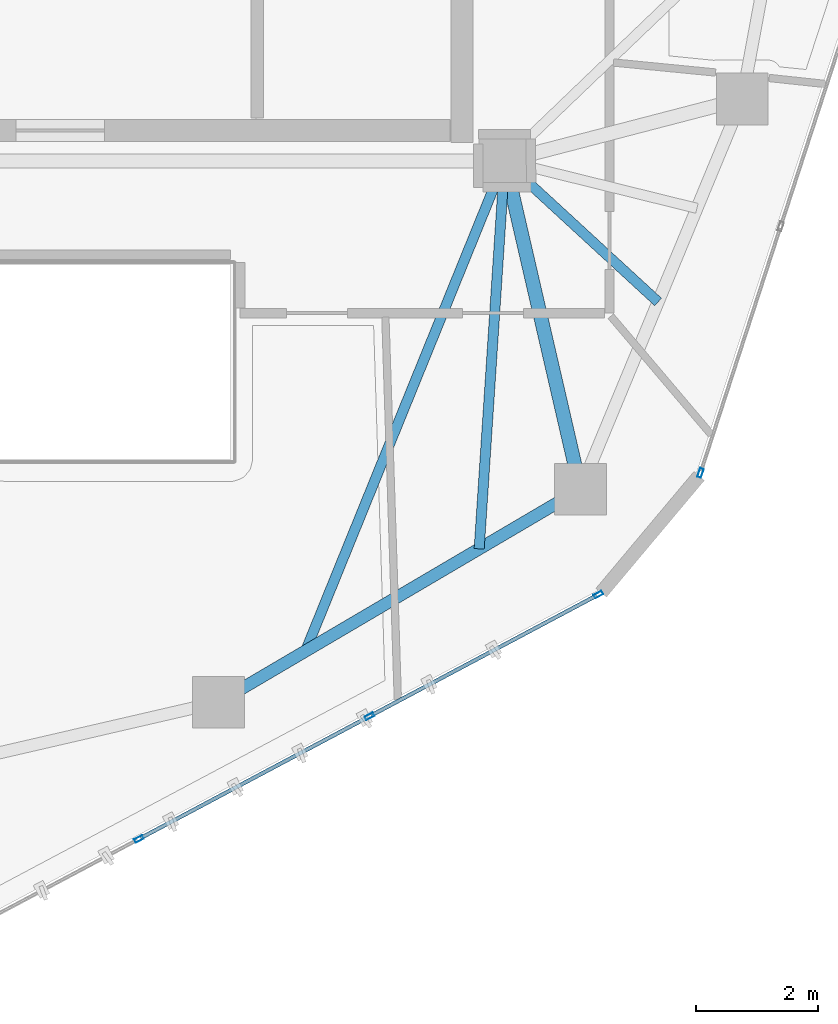
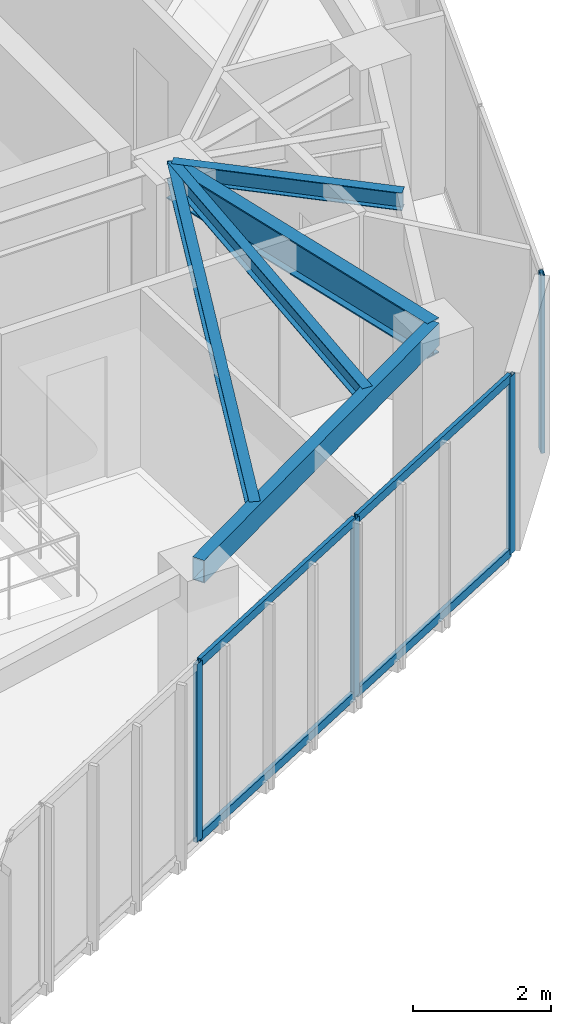
# One storey, part 6 of 20: 8 members, 5 beams, 2 elements without a shape of their own.
"""IFC4 building model written with IfcOpenShell, lengths in metres."""

import ifcopenshell
import ifcopenshell.guid

model = None  # the IFC model being written
_history = None  # IfcOwnerHistory: only IFC2X3 demands one
_inside = {}  # id of a spatial element -> (the spatial element, [elements in it])
_under = {}  # id of a project, library or spatial element -> (it, [spatial elements below it])
_declared = {}  # id of a project -> (the project, [libraries it declares])
_typed = {}  # id of a type object -> (the type object, [elements of that type])
_made_of = {}  # id of a material, layer set ... -> (it, [elements and type objects made of it])


def new_model(schema):
    """Start an empty IFC model of exactly this schema.

    Asked for "IFC4X3", IfcOpenShell would pick the latest addendum, in which some entities
    have other attributes; the version numbers below select the first issue.
    IFC2X3 requires an IfcOwnerHistory on every rooted entity: one is made here for all.
    """
    global model, _history
    if schema == "IFC4X3":
        model = ifcopenshell.file(schema_version=(4, 3, 0, 0))
    else:
        model = ifcopenshell.file(schema=schema)
    _inside.clear()
    _under.clear()
    _declared.clear()
    _typed.clear()
    _made_of.clear()
    _history = None
    if model.schema == "IFC2X3":
        org = make("IfcOrganization", Name="unknown")
        user = make(
            "IfcPersonAndOrganization",
            ThePerson=make("IfcPerson", FamilyName="unknown"),
            TheOrganization=org,
        )
        app = make(
            "IfcApplication",
            ApplicationDeveloper=org,
            Version="unknown",
            ApplicationFullName="unknown",
            ApplicationIdentifier="unknown",
        )
        _history = make(
            "IfcOwnerHistory",
            OwningUser=user,
            OwningApplication=app,
            ChangeAction="ADDED",
            CreationDate=0,
        )
    return model


def make(cls, **values):
    """One entity of the class cls with the attributes given. An attribute that is None is left unset."""
    return model.create_entity(
        cls, **{name: value for name, value in values.items() if value is not None}
    )


def rooted(cls, **values):
    """An entity with a GlobalId (a new one), such as an element, a storey or a relation."""
    return make(cls, GlobalId=ifcopenshell.guid.new(), OwnerHistory=_history, **values)


def si_unit(unit_type, name, prefix=None):
    """IfcSIUnit, for example si_unit("LENGTHUNIT", "METRE", prefix="MILLI")."""
    return make("IfcSIUnit", UnitType=unit_type, Prefix=prefix, Name=name)


def assignment(units):
    """IfcUnitAssignment: the units of a project."""
    return None if units is None else make("IfcUnitAssignment", Units=units)


def point(xyz):
    """IfcCartesianPoint."""
    return None if xyz is None else make("IfcCartesianPoint", Coordinates=xyz)


def direction(xyz):
    """IfcDirection."""
    return None if xyz is None else make("IfcDirection", DirectionRatios=xyz)


def frame(location, z_axis=None, x_axis=None):
    """IfcAxis2Placement3D, a coordinate frame: its origin and axes. An axis left out is left unset."""
    return make(
        "IfcAxis2Placement3D",
        Location=point(location),
        Axis=direction(z_axis),
        RefDirection=direction(x_axis),
    )


def frame_2d(location, x_axis=None):
    """IfcAxis2Placement2D, a coordinate frame in the plane: its origin and x axis."""
    return make(
        "IfcAxis2Placement2D", Location=point(location), RefDirection=direction(x_axis)
    )


def origin():
    """The frame at (0, 0, 0) with its axes left unset."""
    return frame((0.0, 0.0, 0.0))


def origin_2d():
    """The frame at (0, 0) in the plane with its x axis left unset."""
    return frame_2d((0.0, 0.0))


def place(relative_to, where):
    """IfcLocalPlacement: puts the frame where relative to a parent placement (None: the world)."""
    return make(
        "IfcLocalPlacement", PlacementRelTo=relative_to, RelativePlacement=where
    )


def context(
    kind, dimensions, precision=None, world=None, true_north=None, identifier=None
):
    """IfcGeometricRepresentationContext, for example the 3D "Model" context."""
    return make(
        "IfcGeometricRepresentationContext",
        ContextIdentifier=identifier,
        ContextType=kind,
        CoordinateSpaceDimension=dimensions,
        Precision=precision,
        WorldCoordinateSystem=world,
        TrueNorth=true_north,
    )


def subcontext(parent, identifier, kind, view, scale=None):
    """IfcGeometricRepresentationSubContext, for example "Body" below "Model"."""
    return make(
        "IfcGeometricRepresentationSubContext",
        ContextIdentifier=identifier,
        ContextType=kind,
        ParentContext=parent,
        TargetScale=scale,
        TargetView=view,
    )


def project(units=None, contexts=None):
    """IfcProject with its units and contexts."""
    return rooted(
        "IfcProject",
        Name="project",
        RepresentationContexts=contexts,
        UnitsInContext=assignment(units),
    )


def spatial(cls, under=None, at=None, **own):
    """A site, building, storey or space (cls), placed at a placement, below another one or the project."""
    s = rooted(cls, ObjectPlacement=at, **own)
    if under is not None:
        _under.setdefault(under.id(), (under, []))[1].append(s)
    return s


def profile(cls, at=None, kind="AREA", **sizes):
    """A parametric profile (cls). Its sizes go by their IFC names, for example OverallWidth=200.0."""
    return make(cls, ProfileType=kind, Position=at, **sizes)


def hollow_rectangle(**sizes):
    """IfcRectangleHollowProfileDef."""
    return profile("IfcRectangleHollowProfileDef", **sizes)


def i_section(**sizes):
    """IfcIShapeProfileDef."""
    return profile("IfcIShapeProfileDef", **sizes)


def extrude(swept, where, along, depth):
    """IfcExtrudedAreaSolid: the profile swept, set in the frame where, extruded along a direction by depth."""
    return make(
        "IfcExtrudedAreaSolid",
        SweptArea=swept,
        Position=where,
        ExtrudedDirection=direction(along),
        Depth=depth,
    )


def shape(context_of_items, identifier, shape_type, items):
    """IfcShapeRepresentation: the items that make up one representation, for example the "Body"."""
    return make(
        "IfcShapeRepresentation",
        ContextOfItems=context_of_items,
        RepresentationIdentifier=identifier,
        RepresentationType=shape_type,
        Items=items,
    )


def source(mapping_origin, context_of_items, identifier, shape_type, items):
    """IfcRepresentationMap: a shape defined once, which mapped items show again and again."""
    return make(
        "IfcRepresentationMap",
        MappingOrigin=mapping_origin,
        MappedRepresentation=shape(context_of_items, identifier, shape_type, items),
    )


def transform(
    local_origin,
    x_axis=None,
    y_axis=None,
    z_axis=None,
    scale=None,
    scale2=None,
    scale3=None,
    uniform=True,
):
    """IfcCartesianTransformationOperator3D, or its non-uniform kind. x_axis, y_axis, z_axis: its Axis1, 2, 3."""
    if uniform:
        return make(
            "IfcCartesianTransformationOperator3D",
            Axis1=direction(x_axis),
            Axis2=direction(y_axis),
            LocalOrigin=point(local_origin),
            Scale=scale,
            Axis3=direction(z_axis),
        )
    return make(
        "IfcCartesianTransformationOperator3DnonUniform",
        Axis1=direction(x_axis),
        Axis2=direction(y_axis),
        LocalOrigin=point(local_origin),
        Scale=scale,
        Axis3=direction(z_axis),
        Scale2=scale2,
        Scale3=scale3,
    )


def mapped(mapping_source, mapping_target):
    """IfcMappedItem: shows the shape of a source again, moved by a transform."""
    return make(
        "IfcMappedItem", MappingSource=mapping_source, MappingTarget=mapping_target
    )


def material(Name=None, Category=None):
    """IfcMaterial."""
    return make("IfcMaterial", Name=Name, Category=Category)


def layer(
    of_material, thickness, ventilated=None, Name=None, Category=None, Priority=None
):
    """IfcMaterialLayer: one layer of a wall or slab, of a material (None: an air gap)."""
    return make(
        "IfcMaterialLayer",
        Material=of_material,
        LayerThickness=thickness,
        IsVentilated=ventilated,
        Name=Name,
        Category=Category,
        Priority=Priority,
    )


def layer_set(layers, Name=None):
    """IfcMaterialLayerSet."""
    return make("IfcMaterialLayerSet", MaterialLayers=layers, LayerSetName=Name)


def material_profile(
    of_material, cross_section, Name=None, Category=None, Priority=None
):
    """IfcMaterialProfile: a cross section and its material."""
    return make(
        "IfcMaterialProfile",
        Name=Name,
        Material=of_material,
        Profile=cross_section,
        Priority=Priority,
        Category=Category,
    )


def profile_set(profiles, Name=None, composite=None):
    """IfcMaterialProfileSet."""
    return make(
        "IfcMaterialProfileSet",
        Name=Name,
        MaterialProfiles=profiles,
        CompositeProfile=composite,
    )


def made_of(thing, what):
    """Note that an element or type object is made of a material, layer set ...; save() writes the relation."""
    if what is not None:
        _made_of.setdefault(what.id(), (what, []))[1].append(thing)
    return thing


def type_object(cls, material=None, **own):
    """A type object (cls), such as IfcWallType, which elements share."""
    return made_of(rooted(cls, **own), material)


def type_shapes(of_type, sources):
    """Give a type object the sources (RepresentationMaps) that its elements show as mapped items."""
    of_type.RepresentationMaps = sources


def element(
    cls,
    number,
    at=None,
    inside=None,
    cuts=None,
    type_object=None,
    material=None,
    context=None,
    identifier="Body",
    shape_type=None,
    held_by="IfcProductDefinitionShape",
    body=None,
    shapes=None,
    **own,
):
    """One element of the class cls, such as IfcWall. Its Tag is "e" and its number.

    at: its placement. inside: the storey or other place that contains it. cuts: it is an
    opening in that element (IfcRelVoidsElement). A single representation is given by context,
    identifier, shape_type and body (its items); several are given by shapes. held_by: the class
    of the entity that holds the representations. save() writes the other relations.
    """
    e = rooted(cls, Tag="e%d" % number, ObjectPlacement=at, **own)
    if body is not None:
        shapes = [shape(context, identifier, shape_type, body)]
    if shapes is not None:
        e.Representation = make(held_by, Representations=shapes)
    if inside is not None:
        _inside.setdefault(inside.id(), (inside, []))[1].append(e)
    if cuts is not None:
        rooted(
            "IfcRelVoidsElement", RelatingBuildingElement=cuts, RelatedOpeningElement=e
        )
    if type_object is not None:
        _typed.setdefault(type_object.id(), (type_object, []))[1].append(e)
    return made_of(e, material)


def aggregate(whole, parts):
    """IfcRelAggregates: a whole, such as a stair, and the parts it consists of."""
    return rooted("IfcRelAggregates", RelatingObject=whole, RelatedObjects=parts)


def save(model, path):
    """Write the relations noted so far, then the file.

    IfcRelAggregates (storeys below a building ...), IfcRelContainedInSpatialStructure (elements
    in a storey), IfcRelDefinesByType, IfcRelAssociatesMaterial and IfcRelDeclares: one each for
    every whole, place, type object, material and project.
    """
    for whole, parts in _under.values():
        aggregate(whole, parts)
    for where, things in _inside.values():
        rooted(
            "IfcRelContainedInSpatialStructure",
            RelatedElements=things,
            RelatingStructure=where,
        )
    for kind, things in _typed.values():
        rooted("IfcRelDefinesByType", RelatedObjects=things, RelatingType=kind)
    for what, things in _made_of.values():
        rooted("IfcRelAssociatesMaterial", RelatedObjects=things, RelatingMaterial=what)
    for by, libraries in _declared.values():
        rooted("IfcRelDeclares", RelatingContext=by, RelatedDefinitions=libraries)
    model.write(path)


model = new_model("IFC4")

# Units and contexts
model_context = context("Model", 3, precision=1e-05, world=origin(), true_north=direction((0.0, 1.0)))
body_context = subcontext(model_context, "Body", "Model", "MODEL_VIEW")
ifc_project = project(units=[si_unit("LENGTHUNIT", "METRE"), si_unit("AREAUNIT", "SQUARE_METRE"), si_unit("VOLUMEUNIT", "CUBIC_METRE"), si_unit("PLANEANGLEUNIT", "RADIAN"), si_unit("MASSUNIT", "GRAM", prefix="KILO")], contexts=[model_context])

# Site, building, storey
site_placement = place(None, origin())
site = spatial("IfcSite", under=ifc_project, at=site_placement, CompositionType="ELEMENT")
building_placement = place(site_placement, origin())
building = spatial("IfcBuilding", under=site, at=building_placement, Name="Talar Marvaseh", CompositionType="ELEMENT")
storey_placement = place(building_placement, frame((0.0, 0.0, 261.199951171875)))
storey = spatial("IfcBuildingStorey", under=building, at=storey_placement, Name="L69", CompositionType="ELEMENT", Elevation=261.199951171875)

# Beams
ifc_material_1 = material(Name="Steel S355", Category="steel")
ifc_material_profile_1 = material_profile(ifc_material_1, hollow_rectangle(XDim=0.199951171875, YDim=0.39990234375, WallThickness=0.013916015625, at=origin_2d()), Name="RHS400x200x14")
ifc_profile_set_1 = profile_set([ifc_material_profile_1], Name="Steel S355")
beam_type_1 = type_object("IfcBeamType", Name="Zone 3 Perimeter Spandrel Beam RHS400x200x14", PredefinedType="SPANDREL", material=ifc_profile_set_1)
beam_1_placement = place(storey_placement, frame((34.5439453125, 20.111083984375, 2.93994140625), z_axis=(-0.861894136287, -0.507088254482, 0.0), x_axis=(0.507088254482, -0.861894136287, 0.0)))
element("IfcBeam", 1, at=beam_1_placement, inside=storey, type_object=beam_type_1, Name="L69 Zone 3 Perimeter Spandrel Beam RHS400x200x14", PredefinedType="SPANDREL", context=body_context, shape_type="SweptSolid", body=[
    extrude(hollow_rectangle(XDim=0.199951171875, YDim=0.39990234375, WallThickness=0.013916015625, at=origin_2d()), origin(), (0.0, 0.0, 1.0), 6.890625),
])
ifc_material_profile_2 = material_profile(ifc_material_1, i_section(OverallWidth=0.166015625, OverallDepth=0.31298828125, WebThickness=0.006591796875, FlangeThickness=0.01123046875, at=origin_2d()), Name="W310x45")
ifc_profile_set_2 = profile_set([ifc_material_profile_2], Name="Steel S355")
beam_type_2 = type_object("IfcBeamType", Name="Zone 3 Secondary Floor Joist W310x45", PredefinedType="JOIST", material=ifc_profile_set_2)
beam_2_placement = place(storey_placement, frame((35.8173828125, 23.184326171875, 2.983642578125), z_axis=(-0.735970843201, 0.677013233223, 0.0), x_axis=(-0.677013233223, -0.735970843201, 0.0)))
element("IfcBeam", 2, at=beam_2_placement, inside=storey, type_object=beam_type_2, Name="L69 Zone 3 Secondary Floor Joist W310x45", PredefinedType="JOIST", context=body_context, shape_type="SweptSolid", body=[
    extrude(i_section(OverallWidth=0.166015625, OverallDepth=0.31298828125, WebThickness=0.006591796875, FlangeThickness=0.01123046875, at=origin_2d()), origin(), (0.0, 0.0, 1.0), 3.42041015625),
])
beam_3_placement = place(storey_placement, frame((32.881103515625, 19.1328125, 2.983642578125), z_axis=(0.065655577597, 0.997842344827, 0.0), x_axis=(-0.997842344827, 0.065655577597, 0.0)))
element("IfcBeam", 3, at=beam_3_placement, inside=storey, type_object=beam_type_2, Name="L69 Zone 3 Secondary Floor Joist W310x45", PredefinedType="JOIST", context=body_context, shape_type="SweptSolid", body=[
    extrude(i_section(OverallWidth=0.166015625, OverallDepth=0.31298828125, WebThickness=0.006591796875, FlangeThickness=0.01123046875, at=origin_2d()), origin(), (0.0, 0.0, 1.0), 6.380859375),
])
beam_4_placement = place(storey_placement, frame((30.030517578125, 17.45556640625, 2.983642578125), z_axis=(0.37652334678, 0.92640712936, 0.0), x_axis=(-0.92640712936, 0.37652334678, 0.0)))
element("IfcBeam", 4, at=beam_4_placement, inside=storey, type_object=beam_type_2, Name="L69 Zone 3 Secondary Floor Joist W310x45", PredefinedType="JOIST", context=body_context, shape_type="SweptSolid", body=[
    extrude(i_section(OverallWidth=0.166015625, OverallDepth=0.31298828125, WebThickness=0.006591796875, FlangeThickness=0.01123046875, at=origin_2d()), origin(), (0.0, 0.0, 1.0), 8.68359375),
])
ifc_material_profile_3 = material_profile(ifc_material_1, i_section(OverallWidth=0.22998046875, OverallDepth=0.616943359375, WebThickness=0.01318359375, FlangeThickness=0.022216796875, at=origin_2d()), Name="W610x140")
ifc_profile_set_3 = profile_set([ifc_material_profile_3], Name="Steel S355")
beam_type_3 = type_object("IfcBeamType", Name="Zone 4 Radial Floor Girder W610x140", PredefinedType="BEAM", material=ifc_profile_set_3)
beam_5_placement = place(storey_placement, frame((34.5439453125, 20.111083984375, 2.83154296875), z_axis=(-0.22491108979, 0.974379290466, 0.0), x_axis=(-0.974379290466, -0.22491108979, 0.0)))
element("IfcBeam", 5, at=beam_5_placement, inside=storey, type_object=beam_type_3, Name="L69 Zone 4 Radial Floor Girder W610x140", PredefinedType="BEAM", context=body_context, shape_type="SweptSolid", body=[
    extrude(i_section(OverallWidth=0.22998046875, OverallDepth=0.616943359375, WebThickness=0.01318359375, FlangeThickness=0.022216796875, at=origin_2d()), origin(), (0.0, 0.0, 1.0), 5.530517578125),
])

# Curtain wall, members
ifc_material_2 = material(Name="Architectural Aluminium", Category="aluminium")
ifc_layer = layer(ifc_material_2, 0.179931640625)
ifc_layer_set = layer_set([ifc_layer], Name="Architectural Aluminium")
curtain_wall_type = type_object("IfcCurtainWallType", Name="Unitised High-Wind Sky Curtain Wall Z4", PredefinedType="NOTDEFINED", material=ifc_layer_set)
curtain_wall_1_placement = place(storey_placement, origin())
curtain_wall_1 = element("IfcCurtainWall", 6, at=curtain_wall_1_placement, inside=storey, type_object=curtain_wall_type, Name="L69 Unitised High-Wind Sky Curtain Wall Z4", PredefinedType="NOTDEFINED")
ifc_material_profile_4 = material_profile(ifc_material_2, hollow_rectangle(XDim=0.06494140625, YDim=0.14990234375, WallThickness=0.00390625, at=origin_2d()), Name="RHS150x65x4")
ifc_profile_set_4 = profile_set([ifc_material_profile_4], Name="Architectural Aluminium")
member_type_1 = type_object("IfcMemberType", Name="Unitised Curtain Wall Slim Transom RHS150x65x4", PredefinedType="USERDEFINED", material=ifc_profile_set_4)
shared_shape_1 = source(origin(), body_context, "Body", "SweptSolid", [
    extrude(hollow_rectangle(XDim=0.06494140625, YDim=0.14990234375, WallThickness=0.00390625, at=origin_2d()), origin(), (0.0, 0.0, 1.0), 4.188720703125),
])
member_1_placement = place(storey_placement, frame((34.808837890625, 18.3671875, 0.032470703125), z_axis=(-0.882883186073, -0.469592674293, 0.0), x_axis=(0.469592674293, -0.882883186073, 0.0)))
member_1 = element("IfcMember", 7, at=member_1_placement, type_object=member_type_1, Name="CW-Z4 transom 1.1", ObjectType="TRANSOM", PredefinedType="USERDEFINED", context=body_context, shape_type="MappedRepresentation", body=[
    mapped(shared_shape_1, transform((0.0, 0.0, 0.0), x_axis=(1.0, 0.0, 0.0), y_axis=(0.0, 1.0, 0.0), z_axis=(0.0, 0.0, 1.0), scale=1.0)),
])
member_2_placement = place(storey_placement, frame((34.808837890625, 18.3671875, 3.107666015625), z_axis=(-0.882883186073, -0.469592674293, 0.0), x_axis=(0.469592674293, -0.882883186073, 0.0)))
member_2 = element("IfcMember", 8, at=member_2_placement, type_object=member_type_1, Name="CW-Z4 transom 1.2", ObjectType="TRANSOM", PredefinedType="USERDEFINED", context=body_context, shape_type="MappedRepresentation", body=[
    mapped(shared_shape_1, transform((0.0, 0.0, 0.0), x_axis=(1.0, 0.0, 0.0), y_axis=(0.0, 1.0, 0.0), z_axis=(0.0, 0.0, 1.0), scale=1.0)),
])
shared_shape_2 = source(origin(), body_context, "Body", "SweptSolid", [
    extrude(hollow_rectangle(XDim=0.06494140625, YDim=0.14990234375, WallThickness=0.00390625, at=origin_2d()), origin(), (0.0, 0.0, 1.0), 4.22119140625),
])
type_shapes(member_type_1, [shared_shape_1, shared_shape_2])
member_3_placement = place(storey_placement, frame((31.05322265625, 16.36962890625, 0.032470703125), z_axis=(-0.882864736134, -0.469627360459, 0.0), x_axis=(0.469627360459, -0.882864736134, 0.0)))
member_3 = element("IfcMember", 9, at=member_3_placement, type_object=member_type_1, Name="CW-Z4 transom 2.1", ObjectType="TRANSOM", PredefinedType="USERDEFINED", context=body_context, shape_type="MappedRepresentation", body=[
    mapped(shared_shape_2, transform((0.0, 0.0, 0.0), x_axis=(1.0, 0.0, 0.0), y_axis=(0.0, 1.0, 0.0), z_axis=(0.0, 0.0, 1.0), scale=1.0)),
])
member_4_placement = place(storey_placement, frame((31.05322265625, 16.36962890625, 3.107666015625), z_axis=(-0.882864736134, -0.469627360459, 0.0), x_axis=(0.469627360459, -0.882864736134, 0.0)))
member_4 = element("IfcMember", 10, at=member_4_placement, type_object=member_type_1, Name="CW-Z4 transom 2.2", ObjectType="TRANSOM", PredefinedType="USERDEFINED", context=body_context, shape_type="MappedRepresentation", body=[
    mapped(shared_shape_2, transform((0.0, 0.0, 0.0), x_axis=(1.0, 0.0, 0.0), y_axis=(0.0, 1.0, 0.0), z_axis=(0.0, 0.0, 1.0), scale=1.0)),
])

# Curtain wall, member
curtain_wall_2_placement = place(storey_placement, origin())
curtain_wall_2 = element("IfcCurtainWall", 11, at=curtain_wall_2_placement, inside=storey, type_object=curtain_wall_type, Name="L69 Unitised High-Wind Sky Curtain Wall Z4", PredefinedType="NOTDEFINED")
ifc_material_profile_5 = material_profile(ifc_material_2, hollow_rectangle(XDim=0.06494140625, YDim=0.14990234375, WallThickness=0.00390625, at=origin_2d()), Name="RHS150x65x4")
ifc_profile_set_5 = profile_set([ifc_material_profile_5], Name="Architectural Aluminium")
member_type_2 = type_object("IfcMemberType", Name="Unitised Curtain Wall Slim Mullion RHS150x65x4", PredefinedType="MULLION", material=ifc_profile_set_5)
shared_shape_3 = source(origin(), body_context, "Body", "SweptSolid", [
    extrude(hollow_rectangle(XDim=0.06494140625, YDim=0.14990234375, WallThickness=0.00390625, at=origin_2d()), origin(), (0.0, 0.0, 1.0), 3.14013671875),
])
type_shapes(member_type_2, [shared_shape_3])
member_5_placement = place(storey_placement, frame((36.513671875, 20.380126953125, 0.0), z_axis=(0.0, 0.0, 1.0), x_axis=(0.95100933406, -0.309162168659, 0.0)))
member_5 = element("IfcMember", 12, at=member_5_placement, type_object=member_type_2, Name="CW-Z4 mullion 5", PredefinedType="MULLION", context=body_context, shape_type="MappedRepresentation", body=[
    mapped(shared_shape_3, transform((0.0, 0.0, 0.0), x_axis=(1.0, 0.0, 0.0), y_axis=(0.0, 1.0, 0.0), z_axis=(0.0, 0.0, 1.0), scale=1.0)),
])
aggregate(curtain_wall_2, [member_5])

# Member
member_6_placement = place(storey_placement, frame((34.83740234375, 18.38232421875, 0.0), z_axis=(0.0, 0.0, 1.0), x_axis=(0.469604073854, -0.882877122718, 0.0)))
member_6 = element("IfcMember", 13, at=member_6_placement, type_object=member_type_2, Name="CW-Z4 mullion 1", PredefinedType="MULLION", context=body_context, shape_type="MappedRepresentation", body=[
    mapped(shared_shape_3, transform((0.0, 0.0, 0.0), x_axis=(1.0, 0.0, 0.0), y_axis=(0.0, 1.0, 0.0), z_axis=(0.0, 0.0, 1.0), scale=1.0)),
])

member_7_placement = place(storey_placement, frame((31.08203125, 16.384765625, 0.0), z_axis=(0.0, 0.0, 1.0), x_axis=(0.469604073854, -0.882877122718, 0.0)))
member_7 = element("IfcMember", 14, at=member_7_placement, type_object=member_type_2, Name="CW-Z4 mullion 2", PredefinedType="MULLION", context=body_context, shape_type="MappedRepresentation", body=[
    mapped(shared_shape_3, transform((0.0, 0.0, 0.0), x_axis=(1.0, 0.0, 0.0), y_axis=(0.0, 1.0, 0.0), z_axis=(0.0, 0.0, 1.0), scale=1.0)),
])

member_8_placement = place(storey_placement, frame((27.297607421875, 14.3720703125, 0.0), z_axis=(0.0, 0.0, 1.0), x_axis=(0.469604073854, -0.882877122718, 0.0)))
member_8 = element("IfcMember", 15, at=member_8_placement, type_object=member_type_2, Name="CW-Z4 mullion 3", PredefinedType="MULLION", context=body_context, shape_type="MappedRepresentation", body=[
    mapped(shared_shape_3, transform((0.0, 0.0, 0.0), x_axis=(1.0, 0.0, 0.0), y_axis=(0.0, 1.0, 0.0), z_axis=(0.0, 0.0, 1.0), scale=1.0)),
])

aggregate(curtain_wall_1, [member_6, member_7, member_8, member_1, member_2, member_3, member_4])

save(model, "model.ifc")
